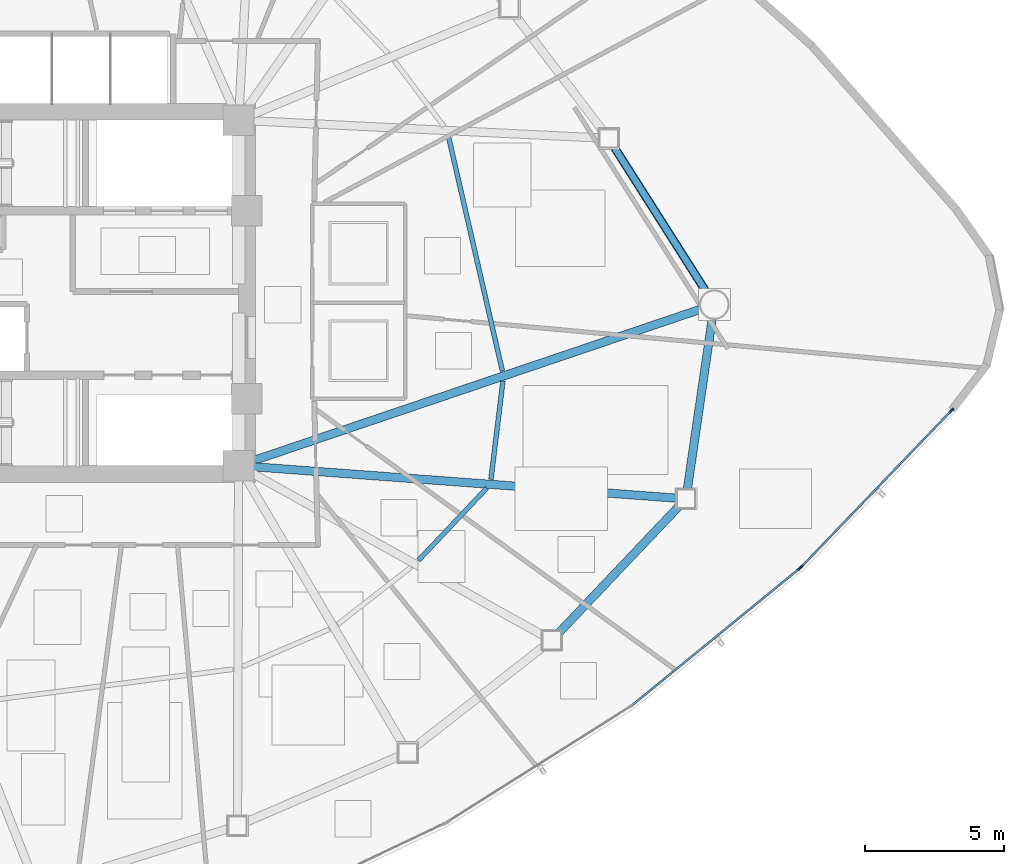
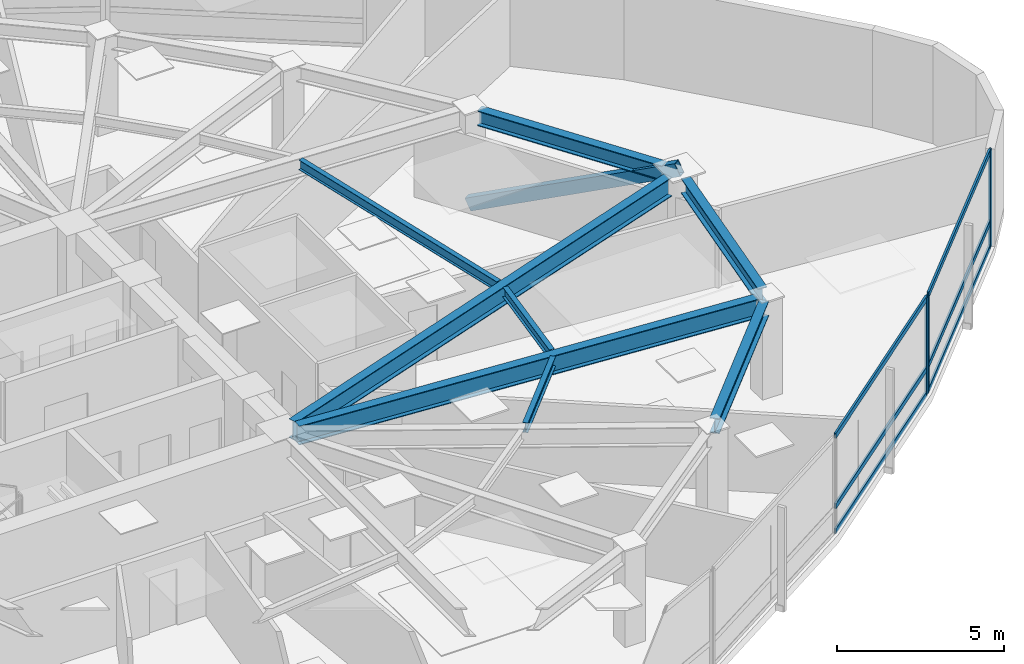
# One storey, part 6 of 17: 10 members, 8 beams, 2 elements without a shape of their own.
"""IFC4 building model written with IfcOpenShell, lengths in metres."""

from ifc_helpers import new_model, si_unit, direction, frame, origin, origin_2d, place, context, subcontext, project, spatial, hollow_rectangle, i_section, extrude, source, transform, mapped, material, layer, layer_set, material_profile, profile_set, type_object, type_shapes, element, aggregate, save


model = new_model("IFC4")

# Units and contexts
model_context = context("Model", 3, precision=1e-05, world=origin(), true_north=direction((0.0, 1.0)))
body_context = subcontext(model_context, "Body", "Model", "MODEL_VIEW")
ifc_project = project(units=[si_unit("LENGTHUNIT", "METRE"), si_unit("AREAUNIT", "SQUARE_METRE"), si_unit("VOLUMEUNIT", "CUBIC_METRE"), si_unit("PLANEANGLEUNIT", "RADIAN"), si_unit("MASSUNIT", "GRAM", prefix="KILO")], contexts=[model_context])

# Site, building, storey
site_placement = place(None, origin())
site = spatial("IfcSite", under=ifc_project, at=site_placement, CompositionType="ELEMENT")
building_placement = place(site_placement, origin())
building = spatial("IfcBuilding", under=site, at=building_placement, Name="Tavelor Broadcast Tower", CompositionType="ELEMENT")
storey_placement = place(building_placement, frame((0.0, 0.0, 154.10009765625)))
storey = spatial("IfcBuildingStorey", under=building, at=storey_placement, Name="L36", CompositionType="ELEMENT", Elevation=154.10009765625)

# Beams
ifc_material_1 = material(Name="Steel S355", Category="steel")
ifc_material_profile_1 = material_profile(ifc_material_1, i_section(OverallWidth=0.169921875, OverallDepth=0.360107421875, WebThickness=0.008056640625, FlangeThickness=0.0126953125, at=origin_2d()), Name="IPE 360")
ifc_profile_set_1 = profile_set([ifc_material_profile_1], Name="Steel S355")
beam_type_1 = type_object("IfcBeamType", Name="Composite Floor Joist T3 IPE 360", PredefinedType="JOIST", material=ifc_profile_set_1)
beam_1_placement = place(storey_placement, frame((63.05859375, 35.39990234375, 3.369873046875), z_axis=(0.686806065531, 0.726840717317, 0.0), x_axis=(-0.726840717317, 0.686806065531, 0.0)))
element("IfcBeam", 1, at=beam_1_placement, inside=storey, type_object=beam_type_1, Name="L36 Secondary Composite Floor Joist 11", PredefinedType="JOIST", context=body_context, shape_type="SweptSolid", body=[
    extrude(i_section(OverallWidth=0.169921875, OverallDepth=0.360107421875, WebThickness=0.008056640625, FlangeThickness=0.0126953125, at=origin_2d()), origin(), (0.0, 0.0, 1.0), 3.573486328125),
])
beam_2_placement = place(storey_placement, frame((65.6591796875, 38.30859375, 3.369873046875), z_axis=(0.120874566199, 0.992667788964, 0.0), x_axis=(-0.992667788964, 0.120874566199, 0.0)))
element("IfcBeam", 2, at=beam_2_placement, inside=storey, type_object=beam_type_1, Name="L36 Secondary Composite Floor Joist 12", PredefinedType="JOIST", context=body_context, shape_type="SweptSolid", body=[
    extrude(i_section(OverallWidth=0.169921875, OverallDepth=0.360107421875, WebThickness=0.008056640625, FlangeThickness=0.0126953125, at=origin_2d()), origin(), (0.0, 0.0, 1.0), 3.556884765625),
])
beam_3_placement = place(storey_placement, frame((66.0703125, 42.1953125, 3.369873046875), z_axis=(-0.224119909946, 0.974561576282, 0.0), x_axis=(-0.974561576282, -0.224119909946, 0.0)))
element("IfcBeam", 3, at=beam_3_placement, inside=storey, type_object=beam_type_1, Name="L36 Secondary Composite Floor Joist 13", PredefinedType="JOIST", context=body_context, shape_type="SweptSolid", body=[
    extrude(i_section(OverallWidth=0.169921875, OverallDepth=0.360107421875, WebThickness=0.008056640625, FlangeThickness=0.0126953125, at=origin_2d()), origin(), (0.0, 0.0, 1.0), 8.6796875),
])
ifc_material_profile_2 = material_profile(ifc_material_1, i_section(OverallWidth=0.300048828125, OverallDepth=0.550048828125, WebThickness=0.014892578125, FlangeThickness=0.029052734375, at=origin_2d()), Name="HEB 550")
ifc_profile_set_2 = profile_set([ifc_material_profile_2], Name="Steel S355")
beam_type_2 = type_object("IfcBeamType", Name="Perimeter Spandrel Beam T3 HEB 550", PredefinedType="SPANDREL", material=ifc_profile_set_2)
beam_4_placement = place(storey_placement, frame((68.073486328125, 32.775390625, 3.27490234375), z_axis=(0.688378130541, 0.72535201757, 0.0), x_axis=(-0.72535201757, 0.688378130541, 0.0)))
element("IfcBeam", 4, at=beam_4_placement, inside=storey, type_object=beam_type_2, Name="L36 Framed-Tube Ring Spandrel 11", PredefinedType="SPANDREL", context=body_context, shape_type="SweptSolid", body=[
    extrude(i_section(OverallWidth=0.300048828125, OverallDepth=0.550048828125, WebThickness=0.014892578125, FlangeThickness=0.029052734375, at=origin_2d()), origin(), (0.0, 0.0, 1.0), 6.32568359375),
])
beam_5_placement = place(storey_placement, frame((72.707763671875, 37.93994140625, 3.27490234375), z_axis=(0.144294035731, 0.989534856007, 0.0), x_axis=(-0.989534856007, 0.144294035731, 0.0)))
element("IfcBeam", 5, at=beam_5_placement, inside=storey, type_object=beam_type_2, Name="L36 Framed-Tube Ring Spandrel 12", PredefinedType="SPANDREL", context=body_context, shape_type="SweptSolid", body=[
    extrude(i_section(OverallWidth=0.300048828125, OverallDepth=0.550048828125, WebThickness=0.014892578125, FlangeThickness=0.029052734375, at=origin_2d()), origin(), (0.0, 0.0, 1.0), 6.19775390625),
])
beam_6_placement = place(storey_placement, frame((73.4013671875, 45.01171875, 3.27490234375), z_axis=(-0.536283466807, 0.844037939449, 0.0), x_axis=(-0.844037939449, -0.536283466807, 0.0)))
element("IfcBeam", 6, at=beam_6_placement, inside=storey, type_object=beam_type_2, Name="L36 Framed-Tube Ring Spandrel 13", PredefinedType="SPANDREL", context=body_context, shape_type="SweptSolid", body=[
    extrude(i_section(OverallWidth=0.300048828125, OverallDepth=0.550048828125, WebThickness=0.014892578125, FlangeThickness=0.029052734375, at=origin_2d()), origin(), (0.0, 0.0, 1.0), 6.21875),
])

# Member
ifc_material_profile_3 = material_profile(ifc_material_1, hollow_rectangle(XDim=0.25, YDim=0.449951171875, WallThickness=0.02001953125, at=origin_2d()), Name="RHS 450x250x20")
ifc_profile_set_3 = profile_set([ifc_material_profile_3], Name="Steel S355")
member_type_1 = type_object("IfcMemberType", Name="Perimeter Tube Brace T3 RHS 450x250x20", PredefinedType="BRACE", material=ifc_profile_set_3)
member_1_placement = place(storey_placement, frame((69.885986328125, 50.544189453125, 0.0), z_axis=(0.479245396229, -0.754215683798, 0.448868079179), x_axis=(0.844021198089, 0.536309814544, 0.0)))
element("IfcMember", 7, at=member_1_placement, inside=storey, type_object=member_type_1, Name="L36 Corner Tube Diagonal Brace 3", PredefinedType="BRACE", context=body_context, shape_type="SweptSolid", body=[
    extrude(hollow_rectangle(XDim=0.25, YDim=0.449951171875, WallThickness=0.02001953125, at=origin_2d()), origin(), (0.0, 0.0, 1.0), 7.908447265625),
])

# Beams
ifc_material_profile_4 = material_profile(ifc_material_1, i_section(OverallWidth=0.300048828125, OverallDepth=0.68994140625, WebThickness=0.014404296875, FlangeThickness=0.027099609375, at=origin_2d()), Name="HEA 700")
ifc_profile_set_4 = profile_set([ifc_material_profile_4], Name="Steel S355")
beam_type_3 = type_object("IfcBeamType", Name="Radial Floor Girder T3 HEA 700", PredefinedType="BEAM", material=ifc_profile_set_4)
beam_7_placement = place(storey_placement, frame((57.126708984375, 38.760986328125, 3.204833984375), z_axis=(0.997253617312, -0.074062289721, 0.0), x_axis=(0.074062289721, 0.997253617312, 0.0)))
element("IfcBeam", 8, at=beam_7_placement, inside=storey, type_object=beam_type_3, Name="L36 Radial Primary Floor Girder 12", PredefinedType="BEAM", context=body_context, shape_type="SweptSolid", body=[
    extrude(i_section(OverallWidth=0.300048828125, OverallDepth=0.68994140625, WebThickness=0.014404296875, FlangeThickness=0.027099609375, at=origin_2d()), origin(), (0.0, 0.0, 1.0), 15.2392578125),
])
beam_8_placement = place(storey_placement, frame((57.10009765625, 38.96923828125, 3.204833984375), z_axis=(0.947217379582, 0.32059200835, 0.0), x_axis=(-0.32059200835, 0.947217379582, 0.0)))
element("IfcBeam", 9, at=beam_8_placement, inside=storey, type_object=beam_type_3, Name="L36 Radial Primary Floor Girder 13", PredefinedType="BEAM", context=body_context, shape_type="SweptSolid", body=[
    extrude(i_section(OverallWidth=0.300048828125, OverallDepth=0.68994140625, WebThickness=0.014404296875, FlangeThickness=0.027099609375, at=origin_2d()), origin(), (0.0, 0.0, 1.0), 16.987548828125),
])

# Curtain wall, member
ifc_material_2 = material(Name="Architectural Anodized Aluminium", Category="aluminium")
ifc_layer = layer(ifc_material_2, 0.18994140625)
ifc_layer_set = layer_set([ifc_layer], Name="Architectural Anodized Aluminium")
curtain_wall_type = type_object("IfcCurtainWallType", Name="Tower Mid-Zone Acoustic Curtain Wall CW03", PredefinedType="NOTDEFINED", material=ifc_layer_set)
curtain_wall_1_placement = place(storey_placement, origin())
curtain_wall_1 = element("IfcCurtainWall", 10, at=curtain_wall_1_placement, inside=storey, type_object=curtain_wall_type, Name="L36 Curtain Wall CW03 Run 379", PredefinedType="NOTDEFINED")
ifc_material_profile_5 = material_profile(ifc_material_2, hollow_rectangle(XDim=0.068115234375, YDim=0.18994140625, WallThickness=0.02197265625, at=origin_2d()), Name="RHS 68x190x22")
ifc_profile_set_5 = profile_set([ifc_material_profile_5], Name="Architectural Anodized Aluminium")
member_type_2 = type_object("IfcMemberType", Name="CW03 Extruded Aluminium Mullion 68x190", PredefinedType="MULLION", material=ifc_profile_set_5)
shared_shape_1 = source(origin(), body_context, "Body", "SweptSolid", [
    extrude(hollow_rectangle(XDim=0.068115234375, YDim=0.18994140625, WallThickness=0.02197265625, at=origin_2d()), origin(), (0.0, 0.0, 1.0), 3.5498046875),
])
type_shapes(member_type_2, [shared_shape_1])
member_2_placement = place(storey_placement, frame((76.737548828125, 35.109130859375, 0.0), z_axis=(0.0, 0.0, 1.0), x_axis=(-0.6323810308, 0.774657493273, 0.0)))
member_2 = element("IfcMember", 11, at=member_2_placement, type_object=member_type_2, Name="CW03 mullion 2", PredefinedType="MULLION", context=body_context, shape_type="MappedRepresentation", body=[
    mapped(shared_shape_1, transform((0.0, 0.0, 0.0), scale=1.0)),
])

# Curtain wall, members
curtain_wall_2_placement = place(storey_placement, origin())
curtain_wall_2 = element("IfcCurtainWall", 12, at=curtain_wall_2_placement, inside=storey, type_object=curtain_wall_type, Name="L36 Curtain Wall CW03 Run 380", PredefinedType="NOTDEFINED")
member_3_placement = place(storey_placement, frame((76.809326171875, 35.175537109375, 0.0), z_axis=(0.0, 0.0, 1.0), x_axis=(-0.721471456606, 0.692444176308, 0.0)))
member_3 = element("IfcMember", 13, at=member_3_placement, type_object=member_type_2, Name="CW03 mullion 1", PredefinedType="MULLION", context=body_context, shape_type="MappedRepresentation", body=[
    mapped(shared_shape_1, transform((0.0, 0.0, 0.0), scale=1.0)),
])
member_4_placement = place(storey_placement, frame((82.189453125, 40.78076171875, 0.0), z_axis=(0.0, 0.0, 1.0), x_axis=(-0.721471456606, 0.692444176308, 0.0)))
member_4 = element("IfcMember", 14, at=member_4_placement, type_object=member_type_2, Name="CW03 mullion 2", PredefinedType="MULLION", context=body_context, shape_type="MappedRepresentation", body=[
    mapped(shared_shape_1, transform((0.0, 0.0, 0.0), scale=1.0)),
])

# Member
ifc_material_profile_6 = material_profile(ifc_material_2, hollow_rectangle(XDim=0.068115234375, YDim=0.18994140625, WallThickness=0.02197265625, at=origin_2d()), Name="RHS 68x190x22")
ifc_profile_set_6 = profile_set([ifc_material_profile_6], Name="Architectural Anodized Aluminium")
member_type_3 = type_object("IfcMemberType", Name="CW03 Extruded Aluminium Transom 68x190", PredefinedType="USERDEFINED", material=ifc_profile_set_6)
shared_shape_2 = source(origin(), body_context, "Body", "SweptSolid", [
    extrude(hollow_rectangle(XDim=0.068115234375, YDim=0.18994140625, WallThickness=0.02197265625, at=origin_2d()), origin(), (0.0, 0.0, 1.0), 7.685546875),
])
member_5_placement = place(storey_placement, frame((70.757568359375, 30.2275390625, 0.033935546875), z_axis=(0.774660247382, 0.632377657042, 0.0), x_axis=(-0.632377657042, 0.774660247382, 0.0)))
member_5 = element("IfcMember", 15, at=member_5_placement, type_object=member_type_3, Name="CW03 transom 1.1", ObjectType="TRANSOM", PredefinedType="USERDEFINED", context=body_context, shape_type="MappedRepresentation", body=[
    mapped(shared_shape_2, transform((0.0, 0.0, 0.0), scale=1.0)),
])

member_6_placement = place(storey_placement, frame((70.757568359375, 30.2275390625, 0.949951171875), z_axis=(0.774660247382, 0.632377657042, 0.0), x_axis=(-0.632377657042, 0.774660247382, 0.0)))
member_6 = element("IfcMember", 16, at=member_6_placement, type_object=member_type_3, Name="CW03 transom 1.2", ObjectType="TRANSOM", PredefinedType="USERDEFINED", context=body_context, shape_type="MappedRepresentation", body=[
    mapped(shared_shape_2, transform((0.0, 0.0, 0.0), scale=1.0)),
])

member_7_placement = place(storey_placement, frame((70.757568359375, 30.2275390625, 3.515869140625), z_axis=(0.774660247382, 0.632377657042, 0.0), x_axis=(-0.632377657042, 0.774660247382, 0.0)))
member_7 = element("IfcMember", 17, at=member_7_placement, type_object=member_type_3, Name="CW03 transom 1.3", ObjectType="TRANSOM", PredefinedType="USERDEFINED", context=body_context, shape_type="MappedRepresentation", body=[
    mapped(shared_shape_2, transform((0.0, 0.0, 0.0), scale=1.0)),
])

aggregate(curtain_wall_1, [member_2, member_5, member_6, member_7])

shared_shape_3 = source(origin(), body_context, "Body", "SweptSolid", [
    extrude(hollow_rectangle(XDim=0.068115234375, YDim=0.18994140625, WallThickness=0.02197265625, at=origin_2d()), origin(), (0.0, 0.0, 1.0), 7.701416015625),
])
type_shapes(member_type_3, [shared_shape_2, shared_shape_3])
member_8_placement = place(storey_placement, frame((76.8330078125, 35.199951171875, 0.033935546875), z_axis=(0.692438779107, 0.72147663662, 0.0), x_axis=(-0.72147663662, 0.692438779107, 0.0)))
member_8 = element("IfcMember", 18, at=member_8_placement, type_object=member_type_3, Name="CW03 transom 1.1", ObjectType="TRANSOM", PredefinedType="USERDEFINED", context=body_context, shape_type="MappedRepresentation", body=[
    mapped(shared_shape_3, transform((0.0, 0.0, 0.0), scale=1.0)),
])

member_9_placement = place(storey_placement, frame((76.8330078125, 35.199951171875, 0.949951171875), z_axis=(0.692438779107, 0.72147663662, 0.0), x_axis=(-0.72147663662, 0.692438779107, 0.0)))
member_9 = element("IfcMember", 19, at=member_9_placement, type_object=member_type_3, Name="CW03 transom 1.2", ObjectType="TRANSOM", PredefinedType="USERDEFINED", context=body_context, shape_type="MappedRepresentation", body=[
    mapped(shared_shape_3, transform((0.0, 0.0, 0.0), scale=1.0)),
])

member_10_placement = place(storey_placement, frame((76.8330078125, 35.199951171875, 3.515869140625), z_axis=(0.692438779107, 0.72147663662, 0.0), x_axis=(-0.72147663662, 0.692438779107, 0.0)))
member_10 = element("IfcMember", 20, at=member_10_placement, type_object=member_type_3, Name="CW03 transom 1.3", ObjectType="TRANSOM", PredefinedType="USERDEFINED", context=body_context, shape_type="MappedRepresentation", body=[
    mapped(shared_shape_3, transform((0.0, 0.0, 0.0), scale=1.0)),
])

aggregate(curtain_wall_2, [member_3, member_4, member_8, member_9, member_10])

save(model, "model.ifc")
